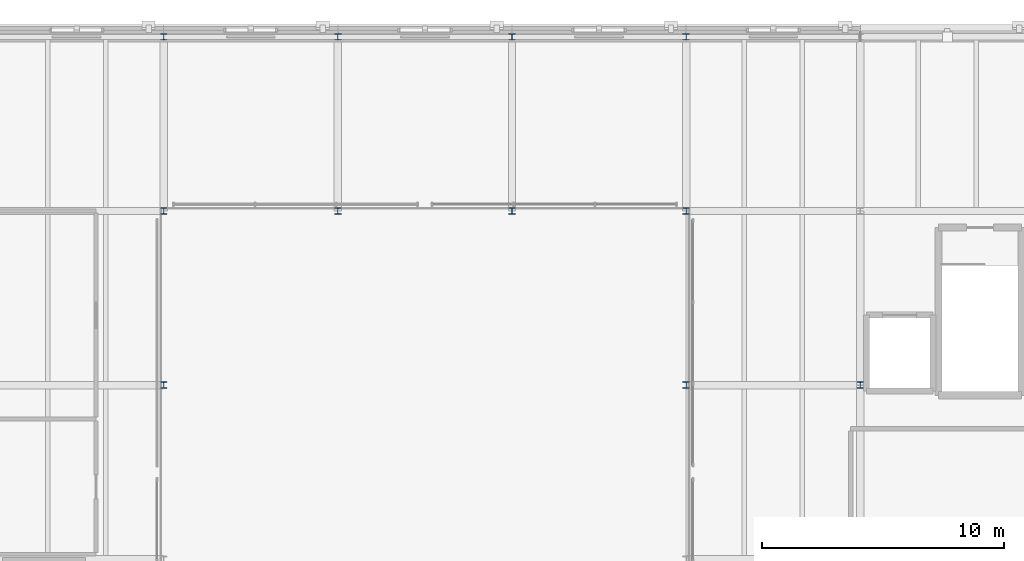
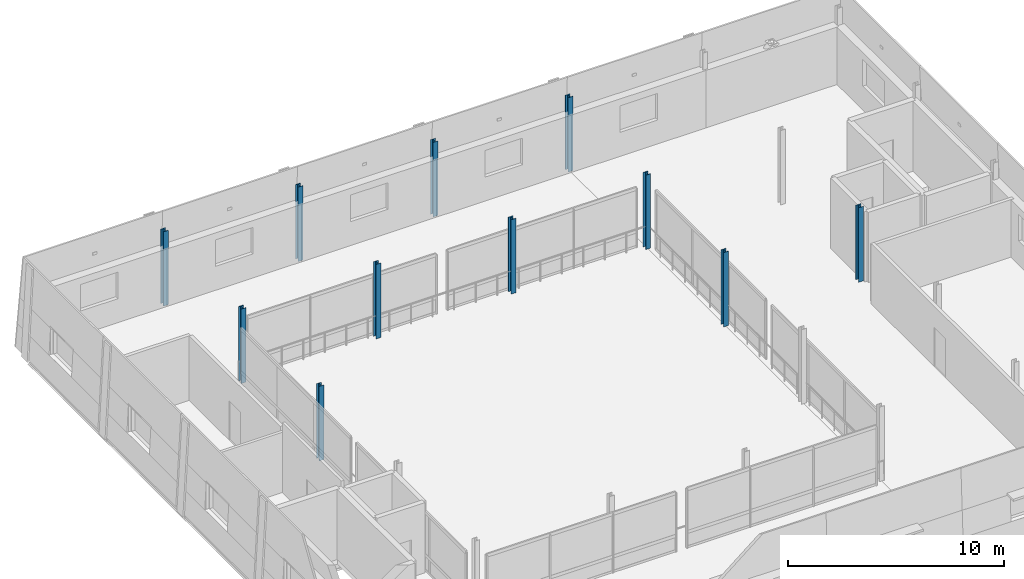
# One storey, part 16 of 115: 11 columns.
"""IFC4 building model written with IfcOpenShell, lengths in metres."""

import ifcopenshell
import ifcopenshell.guid

model = None  # the IFC model being written
_history = None  # IfcOwnerHistory: only IFC2X3 demands one
_inside = {}  # id of a spatial element -> (the spatial element, [elements in it])
_under = {}  # id of a project, library or spatial element -> (it, [spatial elements below it])
_declared = {}  # id of a project -> (the project, [libraries it declares])
_typed = {}  # id of a type object -> (the type object, [elements of that type])
_made_of = {}  # id of a material, layer set ... -> (it, [elements and type objects made of it])


def new_model(schema):
    """Start an empty IFC model of exactly this schema.

    Asked for "IFC4X3", IfcOpenShell would pick the latest addendum, in which some entities
    have other attributes; the version numbers below select the first issue.
    IFC2X3 requires an IfcOwnerHistory on every rooted entity: one is made here for all.
    """
    global model, _history
    if schema == "IFC4X3":
        model = ifcopenshell.file(schema_version=(4, 3, 0, 0))
    else:
        model = ifcopenshell.file(schema=schema)
    _inside.clear()
    _under.clear()
    _declared.clear()
    _typed.clear()
    _made_of.clear()
    _history = None
    if model.schema == "IFC2X3":
        org = make("IfcOrganization", Name="unknown")
        user = make(
            "IfcPersonAndOrganization",
            ThePerson=make("IfcPerson", FamilyName="unknown"),
            TheOrganization=org,
        )
        app = make(
            "IfcApplication",
            ApplicationDeveloper=org,
            Version="unknown",
            ApplicationFullName="unknown",
            ApplicationIdentifier="unknown",
        )
        _history = make(
            "IfcOwnerHistory",
            OwningUser=user,
            OwningApplication=app,
            ChangeAction="ADDED",
            CreationDate=0,
        )
    return model


def make(cls, **values):
    """One entity of the class cls with the attributes given. An attribute that is None is left unset."""
    return model.create_entity(
        cls, **{name: value for name, value in values.items() if value is not None}
    )


def rooted(cls, **values):
    """An entity with a GlobalId (a new one), such as an element, a storey or a relation."""
    return make(cls, GlobalId=ifcopenshell.guid.new(), OwnerHistory=_history, **values)


def si_unit(unit_type, name, prefix=None):
    """IfcSIUnit, for example si_unit("LENGTHUNIT", "METRE", prefix="MILLI")."""
    return make("IfcSIUnit", UnitType=unit_type, Prefix=prefix, Name=name)


def assignment(units):
    """IfcUnitAssignment: the units of a project."""
    return None if units is None else make("IfcUnitAssignment", Units=units)


def point(xyz):
    """IfcCartesianPoint."""
    return None if xyz is None else make("IfcCartesianPoint", Coordinates=xyz)


def direction(xyz):
    """IfcDirection."""
    return None if xyz is None else make("IfcDirection", DirectionRatios=xyz)


def frame(location, z_axis=None, x_axis=None):
    """IfcAxis2Placement3D, a coordinate frame: its origin and axes. An axis left out is left unset."""
    return make(
        "IfcAxis2Placement3D",
        Location=point(location),
        Axis=direction(z_axis),
        RefDirection=direction(x_axis),
    )


def frame_2d(location, x_axis=None):
    """IfcAxis2Placement2D, a coordinate frame in the plane: its origin and x axis."""
    return make(
        "IfcAxis2Placement2D", Location=point(location), RefDirection=direction(x_axis)
    )


def origin():
    """The frame at (0, 0, 0) with its axes left unset."""
    return frame((0.0, 0.0, 0.0))


def origin_2d():
    """The frame at (0, 0) in the plane with its x axis left unset."""
    return frame_2d((0.0, 0.0))


def place(relative_to, where):
    """IfcLocalPlacement: puts the frame where relative to a parent placement (None: the world)."""
    return make(
        "IfcLocalPlacement", PlacementRelTo=relative_to, RelativePlacement=where
    )


def context(
    kind, dimensions, precision=None, world=None, true_north=None, identifier=None
):
    """IfcGeometricRepresentationContext, for example the 3D "Model" context."""
    return make(
        "IfcGeometricRepresentationContext",
        ContextIdentifier=identifier,
        ContextType=kind,
        CoordinateSpaceDimension=dimensions,
        Precision=precision,
        WorldCoordinateSystem=world,
        TrueNorth=true_north,
    )


def subcontext(parent, identifier, kind, view, scale=None):
    """IfcGeometricRepresentationSubContext, for example "Body" below "Model"."""
    return make(
        "IfcGeometricRepresentationSubContext",
        ContextIdentifier=identifier,
        ContextType=kind,
        ParentContext=parent,
        TargetScale=scale,
        TargetView=view,
    )


def project(units=None, contexts=None):
    """IfcProject with its units and contexts."""
    return rooted(
        "IfcProject",
        Name="project",
        RepresentationContexts=contexts,
        UnitsInContext=assignment(units),
    )


def spatial(cls, under=None, at=None, **own):
    """A site, building, storey or space (cls), placed at a placement, below another one or the project."""
    s = rooted(cls, ObjectPlacement=at, **own)
    if under is not None:
        _under.setdefault(under.id(), (under, []))[1].append(s)
    return s


def profile(cls, at=None, kind="AREA", **sizes):
    """A parametric profile (cls). Its sizes go by their IFC names, for example OverallWidth=200.0."""
    return make(cls, ProfileType=kind, Position=at, **sizes)


def i_section(**sizes):
    """IfcIShapeProfileDef."""
    return profile("IfcIShapeProfileDef", **sizes)


def extrude(swept, where, along, depth):
    """IfcExtrudedAreaSolid: the profile swept, set in the frame where, extruded along a direction by depth."""
    return make(
        "IfcExtrudedAreaSolid",
        SweptArea=swept,
        Position=where,
        ExtrudedDirection=direction(along),
        Depth=depth,
    )


def shape(context_of_items, identifier, shape_type, items):
    """IfcShapeRepresentation: the items that make up one representation, for example the "Body"."""
    return make(
        "IfcShapeRepresentation",
        ContextOfItems=context_of_items,
        RepresentationIdentifier=identifier,
        RepresentationType=shape_type,
        Items=items,
    )


def material(Name=None, Category=None):
    """IfcMaterial."""
    return make("IfcMaterial", Name=Name, Category=Category)


def material_profile(
    of_material, cross_section, Name=None, Category=None, Priority=None
):
    """IfcMaterialProfile: a cross section and its material."""
    return make(
        "IfcMaterialProfile",
        Name=Name,
        Material=of_material,
        Profile=cross_section,
        Priority=Priority,
        Category=Category,
    )


def profile_set(profiles, Name=None, composite=None):
    """IfcMaterialProfileSet."""
    return make(
        "IfcMaterialProfileSet",
        Name=Name,
        MaterialProfiles=profiles,
        CompositeProfile=composite,
    )


def made_of(thing, what):
    """Note that an element or type object is made of a material, layer set ...; save() writes the relation."""
    if what is not None:
        _made_of.setdefault(what.id(), (what, []))[1].append(thing)
    return thing


def type_object(cls, material=None, **own):
    """A type object (cls), such as IfcWallType, which elements share."""
    return made_of(rooted(cls, **own), material)


def element(
    cls,
    number,
    at=None,
    inside=None,
    cuts=None,
    type_object=None,
    material=None,
    context=None,
    identifier="Body",
    shape_type=None,
    held_by="IfcProductDefinitionShape",
    body=None,
    shapes=None,
    **own,
):
    """One element of the class cls, such as IfcWall. Its Tag is "e" and its number.

    at: its placement. inside: the storey or other place that contains it. cuts: it is an
    opening in that element (IfcRelVoidsElement). A single representation is given by context,
    identifier, shape_type and body (its items); several are given by shapes. held_by: the class
    of the entity that holds the representations. save() writes the other relations.
    """
    e = rooted(cls, Tag="e%d" % number, ObjectPlacement=at, **own)
    if body is not None:
        shapes = [shape(context, identifier, shape_type, body)]
    if shapes is not None:
        e.Representation = make(held_by, Representations=shapes)
    if inside is not None:
        _inside.setdefault(inside.id(), (inside, []))[1].append(e)
    if cuts is not None:
        rooted(
            "IfcRelVoidsElement", RelatingBuildingElement=cuts, RelatedOpeningElement=e
        )
    if type_object is not None:
        _typed.setdefault(type_object.id(), (type_object, []))[1].append(e)
    return made_of(e, material)


def aggregate(whole, parts):
    """IfcRelAggregates: a whole, such as a stair, and the parts it consists of."""
    return rooted("IfcRelAggregates", RelatingObject=whole, RelatedObjects=parts)


def save(model, path):
    """Write the relations noted so far, then the file.

    IfcRelAggregates (storeys below a building ...), IfcRelContainedInSpatialStructure (elements
    in a storey), IfcRelDefinesByType, IfcRelAssociatesMaterial and IfcRelDeclares: one each for
    every whole, place, type object, material and project.
    """
    for whole, parts in _under.values():
        aggregate(whole, parts)
    for where, things in _inside.values():
        rooted(
            "IfcRelContainedInSpatialStructure",
            RelatedElements=things,
            RelatingStructure=where,
        )
    for kind, things in _typed.values():
        rooted("IfcRelDefinesByType", RelatedObjects=things, RelatingType=kind)
    for what, things in _made_of.values():
        rooted("IfcRelAssociatesMaterial", RelatedObjects=things, RelatingMaterial=what)
    for by, libraries in _declared.values():
        rooted("IfcRelDeclares", RelatingContext=by, RelatedDefinitions=libraries)
    model.write(path)


model = new_model("IFC4")

# Units and contexts
model_context = context("Model", 3, precision=1e-05, world=origin(), true_north=direction((0.0, 1.0)))
body_context = subcontext(model_context, "Body", "Model", "MODEL_VIEW")
ifc_project = project(units=[si_unit("LENGTHUNIT", "METRE"), si_unit("AREAUNIT", "SQUARE_METRE"), si_unit("VOLUMEUNIT", "CUBIC_METRE"), si_unit("PLANEANGLEUNIT", "RADIAN"), si_unit("MASSUNIT", "GRAM", prefix="KILO")], contexts=[model_context])

# Site, building, storey
site_placement = place(None, origin())
site = spatial("IfcSite", under=ifc_project, at=site_placement, CompositionType="ELEMENT")
building_placement = place(site_placement, origin())
building = spatial("IfcBuilding", under=site, at=building_placement, Name="Narikvali Park Central Library", CompositionType="ELEMENT")
storey_placement = place(building_placement, frame((0.0, 0.0, 10.199951171875)))
storey = spatial("IfcBuildingStorey", under=building, at=storey_placement, Name="L02", CompositionType="ELEMENT", Elevation=10.199951171875)

# Columns
ifc_material = material(Name="Steel S355", Category="steel")
ifc_material_profile = material_profile(ifc_material, i_section(OverallWidth=0.260009765625, OverallDepth=0.260009765625, WebThickness=0.010009765625, FlangeThickness=0.017578125, FilletRadius=0.02392578125, at=origin_2d()), Name="HEB 260")
ifc_profile_set = profile_set([ifc_material_profile], Name="Steel S355")
column_type = type_object("IfcColumnType", Name="Steel Column HEB260", PredefinedType="COLUMN", material=ifc_profile_set)
for number, where, z_axis, x_axis, name in (
    (1, (129.60009765625, 100.800048828125, 0.0), (0.0, 0.0, 1.0), (1.0, 0.0, 0.0), "V3 L02 Column (129.6,100.8)"),
    (2, (129.60009765625, 108.0, 0.0), (0.0, 0.0, 1.0), (1.0, 0.0, 0.0), "V3 L02 Column (129.6,108.0)"),
    (3, (129.60009765625, 115.199951171875, 0.0), (0.0, 0.0, 1.0), (1.0, 0.0, 0.0), "V3 L02 Column (129.6,115.2)"),
    (4, (136.800048828125, 108.0, 0.0), (0.0, 0.0, 1.0), (1.0, 0.0, 0.0), "V3 L02 Column (136.8,108.0)"),
    (5, (136.800048828125, 115.199951171875, 0.0), (0.0, 0.0, 1.0), (1.0, 0.0, 0.0), "V3 L02 Column (136.8,115.2)"),
    (6, (144.0, 108.0, 0.0), (0.0, 0.0, 1.0), (1.0, 0.0, 0.0), "V3 L02 Column (144.0,108.0)"),
    (7, (144.0, 115.199951171875, 0.0), (0.0, 0.0, 1.0), (1.0, 0.0, 0.0), "V3 L02 Column (144.0,115.2)"),
    (8, (151.199951171875, 100.800048828125, 0.0), (0.0, 0.0, 1.0), (1.0, 0.0, 0.0), "V3 L02 Column (151.2,100.8)"),
    (9, (151.199951171875, 108.0, 0.0), (0.0, 0.0, 1.0), (1.0, 0.0, 0.0), "V3 L02 Column (151.2,108.0)"),
    (10, (151.199951171875, 115.199951171875, 0.0), (0.0, 0.0, 1.0), (1.0, 0.0, 0.0), "V3 L02 Column (151.2,115.2)"),
    (11, (158.39990234375, 100.800048828125, 0.0), (0.0, 0.0, 1.0), (1.0, 0.0, 0.0), "V3 L02 Column (158.4,100.8)"),
):
    element("IfcColumn", number, at=place(storey_placement, frame(where, z_axis=z_axis, x_axis=x_axis)), inside=storey, type_object=column_type, Name=name, PredefinedType="COLUMN", context=body_context, shape_type="SweptSolid", body=[
        extrude(i_section(OverallWidth=0.260009765625, OverallDepth=0.260009765625, WebThickness=0.010009765625, FlangeThickness=0.017578125, FilletRadius=0.02392578125, at=origin_2d()), origin(), (0.0, 0.0, 1.0), 4.199951171875),
    ])

save(model, "model.ifc")
